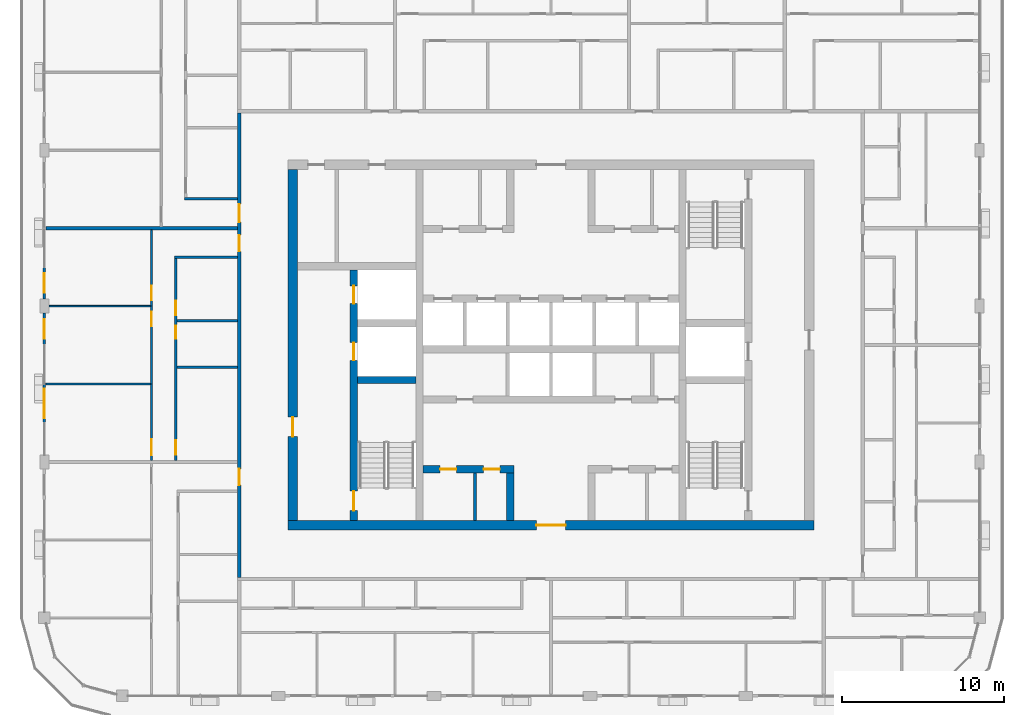
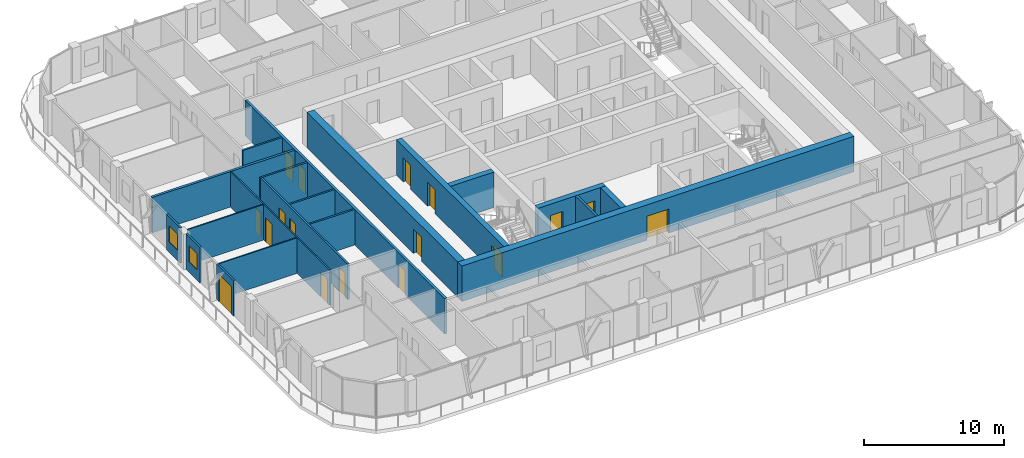
# One storey, part 10 of 22: 20 walls, 17 doors, 2 windows, 19 openings.
"""IFC4 building model written with IfcOpenShell, lengths in metres."""

from ifc_helpers import new_model, si_unit, direction, frame, frame_2d, origin, place, context, subcontext, project, spatial, rectangle, extrude, material, layer, layer_set, type_object, element, fill, save


model = new_model("IFC4")

# Units and contexts
model_context = context("Model", 3, precision=1e-05, world=origin(), true_north=direction((0.0, 1.0)))
body_context = subcontext(model_context, "Body", "Model", "MODEL_VIEW")
ifc_project = project(units=[si_unit("LENGTHUNIT", "METRE"), si_unit("AREAUNIT", "SQUARE_METRE"), si_unit("VOLUMEUNIT", "CUBIC_METRE"), si_unit("PLANEANGLEUNIT", "RADIAN"), si_unit("MASSUNIT", "GRAM", prefix="KILO")], contexts=[model_context])

# Site, building, storey
site_placement = place(None, origin())
site = spatial("IfcSite", under=ifc_project, at=site_placement, CompositionType="ELEMENT")
building_placement = place(site_placement, origin())
building = spatial("IfcBuilding", under=site, at=building_placement, Name="Madar Terraces", CompositionType="ELEMENT")
storey_placement = place(building_placement, frame((0.0, 0.0, 259.699951171875)))
storey = spatial("IfcBuildingStorey", under=building, at=storey_placement, Name="L68", CompositionType="ELEMENT", Elevation=259.699951171875)

# Wall, openings, doors
ifc_material_1 = material(Name="Concrete C55/67", Category="concrete")
ifc_layer_1 = layer(ifc_material_1, 0.449951171875)
ifc_layer_set_1 = layer_set([ifc_layer_1], Name="Concrete C55/67 (CIW5 RC wall 450)")
wall_type_1 = type_object("IfcWallType", Name="CIW5 RC wall 450", PredefinedType="SHEAR", material=ifc_layer_set_1)
wall_1_placement = place(storey_placement, frame((19.050048828125, 15.60009765625, 0.0), z_axis=(0.0, 0.0, 1.0), x_axis=(0.0, 1.0, 0.0)))
wall_1 = element("IfcWall", 1, at=wall_1_placement, inside=storey, type_object=wall_type_1, Name="CORE SHAFT WALL", PredefinedType="SHEAR", context=body_context, shape_type="SweptSolid", body=[
    extrude(rectangle(XDim=15.4248046875, YDim=0.449951171875, at=frame_2d((7.71240234375, 0.0))), origin(), (0.0, 0.0, 1.0), 3.10009765625),
])
opening_1_placement = place(wall_1_placement, frame((9.85009765625, 0.0, 0.0)))
opening_1 = element("IfcOpeningElement", 2, at=opening_1_placement, cuts=wall_1, Name="Opening LD", PredefinedType="OPENING", context=body_context, shape_type="SweptSolid", body=[
    extrude(rectangle(XDim=1.10009765625, YDim=2.10009765625, at=frame_2d((0.550048828125, 1.050048828125))), frame((0.0, 0.23486328125, 0.0), z_axis=(0.0, -1.0, 0.0), x_axis=(1.0, 0.0, 0.0)), (0.0, 0.0, 1.0), 0.469970703125),
])
opening_2_placement = place(wall_1_placement, frame((13.35009765625, 0.0, 0.0)))
opening_2 = element("IfcOpeningElement", 3, at=opening_2_placement, cuts=wall_1, Name="Opening LD", PredefinedType="OPENING", context=body_context, shape_type="SweptSolid", body=[
    extrude(rectangle(XDim=1.10009765625, YDim=2.10009765625, at=frame_2d((0.550048828125, 1.050048828125))), frame((0.0, 0.23486328125, 0.0), z_axis=(0.0, -1.0, 0.0), x_axis=(1.0, 0.0, 0.0)), (0.0, 0.0, 1.0), 0.469970703125),
])
opening_3_placement = place(wall_1_placement, frame((0.60009765625, 0.0, 0.0)))
opening_3 = element("IfcOpeningElement", 4, at=opening_3_placement, cuts=wall_1, Name="Opening SD1", PredefinedType="OPENING", context=body_context, shape_type="SweptSolid", body=[
    extrude(rectangle(XDim=1.199951171875, YDim=2.10009765625, at=frame_2d((0.60009765625, 1.050048828125))), frame((0.0, 0.23486328125, 0.0), z_axis=(0.0, -1.0, 0.0), x_axis=(1.0, 0.0, 0.0)), (0.0, 0.0, 1.0), 0.469970703125),
])
ifc_material_2 = material(Name="Stainless steel panel", Category="steel")
door_type_1 = type_object("IfcDoorType", Name="Lift landing door 1100 x 2100", OperationType="DOUBLE_DOOR_SLIDING", PredefinedType="DOOR", material=ifc_material_2)
door_1_placement = place(opening_1_placement, origin())
door_1 = element("IfcDoor", 5, at=door_1_placement, inside=storey, type_object=door_type_1, Name="LIFT LANDING DOOR", OperationType="DOUBLE_DOOR_SLIDING", OverallHeight=2.10009765625, OverallWidth=1.10009765625, PredefinedType="DOOR", context=body_context, shape_type="SweptSolid", body=[
    extrude(rectangle(XDim=1.10009765625, YDim=2.10009765625, at=frame_2d((0.550048828125, 1.050048828125))), frame((0.0, 0.02490234375, 0.0), z_axis=(0.0, -1.0, 0.0), x_axis=(1.0, 0.0, 0.0)), (0.0, 0.0, 1.0), 0.050048828125),
])
fill(opening_1, door_1)
door_2_placement = place(opening_2_placement, origin())
door_2 = element("IfcDoor", 6, at=door_2_placement, inside=storey, type_object=door_type_1, Name="LIFT LANDING DOOR", OperationType="DOUBLE_DOOR_SLIDING", OverallHeight=2.10009765625, OverallWidth=1.10009765625, PredefinedType="DOOR", context=body_context, shape_type="SweptSolid", body=[
    extrude(rectangle(XDim=1.10009765625, YDim=2.10009765625, at=frame_2d((0.550048828125, 1.050048828125))), frame((0.0, 0.02490234375, 0.0), z_axis=(0.0, -1.0, 0.0), x_axis=(1.0, 0.0, 0.0)), (0.0, 0.0, 1.0), 0.050048828125),
])
fill(opening_2, door_2)
ifc_material_3 = material(Name="Steel door leaf", Category="steel")
door_type_2 = type_object("IfcDoorType", Name="Stair door 1200 x 2100", OperationType="NOTDEFINED", PredefinedType="DOOR", material=ifc_material_3)
door_3_placement = place(opening_3_placement, frame((1.199951171875, 0.0, 0.0), z_axis=(0.0, 0.0, 1.0), x_axis=(-1.0, 0.0, 0.0)))
door_3 = element("IfcDoor", 7, at=door_3_placement, inside=storey, type_object=door_type_2, Name="STAIR DOOR", OperationType="SINGLE_SWING_RIGHT", OverallHeight=2.10009765625, OverallWidth=1.199951171875, PredefinedType="DOOR", context=body_context, shape_type="SweptSolid", body=[
    extrude(rectangle(XDim=1.199951171875, YDim=2.10009765625, at=frame_2d((0.60009765625, 1.050048828125))), frame((0.0, 0.02490234375, 0.0), z_axis=(0.0, -1.0, 0.0), x_axis=(1.0, 0.0, 0.0)), (0.0, 0.0, 1.0), 0.050048828125),
])
fill(opening_3, door_3)

# Wall
wall_2_placement = place(storey_placement, frame((19.27490234375, 24.25, 0.0), z_axis=(0.0, 0.0, 1.0), x_axis=(1.0, 0.0, 0.0)))
element("IfcWall", 8, at=wall_2_placement, inside=storey, type_object=wall_type_1, Name="CORE SHAFT WALL", PredefinedType="SHEAR", context=body_context, shape_type="SweptSolid", body=[
    extrude(rectangle(XDim=3.60009765625, YDim=0.449951171875, at=frame_2d((1.800048828125, 0.0))), origin(), (0.0, 0.0, 1.0), 3.10009765625),
])

# Wall, openings, doors
wall_3_placement = place(storey_placement, frame((23.324951171875, 18.75, 0.0), z_axis=(0.0, 0.0, 1.0), x_axis=(1.0, 0.0, 0.0)))
wall_3 = element("IfcWall", 9, at=wall_3_placement, inside=storey, type_object=wall_type_1, Name="CORE SHAFT WALL", PredefinedType="SHEAR", context=body_context, shape_type="SweptSolid", body=[
    extrude(rectangle(XDim=5.60009765625, YDim=0.449951171875, at=frame_2d((2.800048828125, 0.0))), origin(), (0.0, 0.0, 1.0), 3.10009765625),
])
opening_4_placement = place(wall_3_placement, frame((1.04638671875, 0.0, 0.0)))
opening_4 = element("IfcOpeningElement", 10, at=opening_4_placement, cuts=wall_3, Name="Opening KD2", PredefinedType="OPENING", context=body_context, shape_type="SweptSolid", body=[
    extrude(rectangle(XDim=1.0, YDim=2.10009765625, at=frame_2d((0.5, 1.050048828125))), frame((0.0, 0.23486328125, 0.0), z_axis=(0.0, -1.0, 0.0), x_axis=(1.0, 0.0, 0.0)), (0.0, 0.0, 1.0), 0.469970703125),
])
opening_5_placement = place(wall_3_placement, frame((3.721435546875, 0.0, 0.0)))
opening_5 = element("IfcOpeningElement", 11, at=opening_5_placement, cuts=wall_3, Name="Opening KD2", PredefinedType="OPENING", context=body_context, shape_type="SweptSolid", body=[
    extrude(rectangle(XDim=1.0, YDim=2.10009765625, at=frame_2d((0.5, 1.050048828125))), frame((0.0, 0.23486328125, 0.0), z_axis=(0.0, -1.0, 0.0), x_axis=(1.0, 0.0, 0.0)), (0.0, 0.0, 1.0), 0.469970703125),
])
ifc_material_4 = material(Name="Steel door leaf", Category="steel")
door_type_3 = type_object("IfcDoorType", Name="Service room door 1000 x 2100", OperationType="NOTDEFINED", PredefinedType="DOOR", material=ifc_material_4)
door_4_placement = place(opening_4_placement, origin())
door_4 = element("IfcDoor", 12, at=door_4_placement, inside=storey, type_object=door_type_3, Name="SERVICE ROOM DOOR", OperationType="SINGLE_SWING_RIGHT", OverallHeight=2.10009765625, OverallWidth=1.0, PredefinedType="DOOR", context=body_context, shape_type="SweptSolid", body=[
    extrude(rectangle(XDim=1.0, YDim=2.10009765625, at=frame_2d((0.5, 1.050048828125))), frame((0.0, 0.02490234375, 0.0), z_axis=(0.0, -1.0, 0.0), x_axis=(1.0, 0.0, 0.0)), (0.0, 0.0, 1.0), 0.050048828125),
])
fill(opening_4, door_4)
door_5_placement = place(opening_5_placement, origin())
door_5 = element("IfcDoor", 13, at=door_5_placement, inside=storey, type_object=door_type_3, Name="SERVICE ROOM DOOR", OperationType="SINGLE_SWING_LEFT", OverallHeight=2.10009765625, OverallWidth=1.0, PredefinedType="DOOR", context=body_context, shape_type="SweptSolid", body=[
    extrude(rectangle(XDim=1.0, YDim=2.10009765625, at=frame_2d((0.5, 1.050048828125))), frame((0.0, 0.02490234375, 0.0), z_axis=(0.0, -1.0, 0.0), x_axis=(1.0, 0.0, 0.0)), (0.0, 0.0, 1.0), 0.050048828125),
])
fill(opening_5, door_5)

# Wall
wall_4_placement = place(storey_placement, frame((28.699951171875, 15.60009765625, 0.0), z_axis=(0.0, 0.0, 1.0), x_axis=(0.0, 1.0, 0.0)))
element("IfcWall", 14, at=wall_4_placement, inside=storey, type_object=wall_type_1, Name="CORE SHAFT WALL", PredefinedType="SHEAR", context=body_context, shape_type="SweptSolid", body=[
    extrude(rectangle(XDim=2.9248046875, YDim=0.449951171875, at=frame_2d((1.46240234375, 0.0))), origin(), (0.0, 0.0, 1.0), 3.10009765625),
])

# Wall, opening, door
ifc_material_5 = material(Name="Concrete C55/67", Category="concrete")
ifc_layer_2 = layer(ifc_material_5, 0.60009765625)
ifc_layer_set_2 = layer_set([ifc_layer_2], Name="Concrete C55/67 (CRW5 RC wall 600)")
wall_type_2 = type_object("IfcWallType", Name="CRW5 RC wall 600", PredefinedType="SHEAR", material=ifc_layer_set_2)
wall_5_placement = place(storey_placement, frame((15.0, 15.300048828125, 0.0), z_axis=(0.0, 0.0, 1.0), x_axis=(1.0, 0.0, 0.0)))
wall_5 = element("IfcWall", 15, at=wall_5_placement, inside=storey, type_object=wall_type_2, Name="CORE OUTER WALL", PredefinedType="SHEAR", context=body_context, shape_type="SweptSolid", body=[
    extrude(rectangle(XDim=32.39990234375, YDim=0.60009765625, at=frame_2d((16.199951171875, 0.0))), origin(), (0.0, 0.0, 1.0), 3.10009765625),
])
opening_6_placement = place(wall_5_placement, frame((15.300048828125, 0.0, 0.0)))
opening_6 = element("IfcOpeningElement", 16, at=opening_6_placement, cuts=wall_5, Name="Opening KD1", PredefinedType="OPENING", context=body_context, shape_type="SweptSolid", body=[
    extrude(rectangle(XDim=1.800048828125, YDim=2.10009765625, at=frame_2d((0.89990234375, 1.050048828125))), frame((0.0, 0.31005859375, 0.0), z_axis=(0.0, -1.0, 0.0), x_axis=(1.0, 0.0, 0.0)), (0.0, 0.0, 1.0), 0.6201171875),
])
ifc_material_6 = material(Name="Steel door leaf", Category="steel")
door_type_4 = type_object("IfcDoorType", Name="Lobby door pair 1800 x 2100", OperationType="DOUBLE_DOOR_SINGLE_SWING", PredefinedType="DOOR", material=ifc_material_6)
door_6_placement = place(opening_6_placement, frame((1.800048828125, 0.0, 0.0), z_axis=(0.0, 0.0, 1.0), x_axis=(-1.0, 0.0, 0.0)))
door_6 = element("IfcDoor", 17, at=door_6_placement, inside=storey, type_object=door_type_4, Name="LIFT LOBBY DOOR", OperationType="DOUBLE_DOOR_SINGLE_SWING", OverallHeight=2.10009765625, OverallWidth=1.800048828125, PredefinedType="DOOR", context=body_context, shape_type="SweptSolid", body=[
    extrude(rectangle(XDim=1.800048828125, YDim=2.10009765625, at=frame_2d((0.89990234375, 1.050048828125))), frame((0.0, 0.02490234375, 0.0), z_axis=(0.0, -1.0, 0.0), x_axis=(1.0, 0.0, 0.0)), (0.0, 0.0, 1.0), 0.050048828125),
])
fill(opening_6, door_6)

wall_6_placement = place(storey_placement, frame((15.300048828125, 15.60009765625, 0.0), z_axis=(0.0, 0.0, 1.0), x_axis=(0.0, 1.0, 0.0)))
wall_6 = element("IfcWall", 18, at=wall_6_placement, inside=storey, type_object=wall_type_2, Name="CORE OUTER WALL", PredefinedType="SHEAR", context=body_context, shape_type="SweptSolid", body=[
    extrude(rectangle(XDim=21.599853515625, YDim=0.60009765625, at=frame_2d((10.7998046875, 0.0))), origin(), (0.0, 0.0, 1.0), 3.10009765625),
])
opening_7_placement = place(wall_6_placement, frame((5.159912109375, 0.0, 0.0)))
opening_7 = element("IfcOpeningElement", 19, at=opening_7_placement, cuts=wall_6, Name="Opening SD1", PredefinedType="OPENING", context=body_context, shape_type="SweptSolid", body=[
    extrude(rectangle(XDim=1.199951171875, YDim=2.10009765625, at=frame_2d((0.60009765625, 1.050048828125))), frame((0.0, 0.31005859375, 0.0), z_axis=(0.0, -1.0, 0.0), x_axis=(1.0, 0.0, 0.0)), (0.0, 0.0, 1.0), 0.6201171875),
])
door_7_placement = place(opening_7_placement, frame((1.199951171875, 0.0, 0.0), z_axis=(0.0, 0.0, 1.0), x_axis=(-1.0, 0.0, 0.0)))
door_7 = element("IfcDoor", 20, at=door_7_placement, inside=storey, type_object=door_type_2, Name="STAIR DOOR", OperationType="SINGLE_SWING_LEFT", OverallHeight=2.10009765625, OverallWidth=1.199951171875, PredefinedType="DOOR", context=body_context, shape_type="SweptSolid", body=[
    extrude(rectangle(XDim=1.199951171875, YDim=2.10009765625, at=frame_2d((0.60009765625, 1.050048828125))), frame((0.0, 0.02490234375, 0.0), z_axis=(0.0, -1.0, 0.0), x_axis=(1.0, 0.0, 0.0)), (0.0, 0.0, 1.0), 0.050048828125),
])
fill(opening_7, door_7)

# Wall
ifc_material_7 = material(Name="Masonry blockwork", Category="masonry")
ifc_layer_3 = layer(ifc_material_7, 0.199951171875)
ifc_layer_set_3 = layer_set([ifc_layer_3], Name="Core partition 200 blockwork")
wall_type_3 = type_object("IfcWallType", Name="Core partition 200 blockwork", PredefinedType="PARTITIONING", material=ifc_layer_set_3)
wall_7_placement = place(storey_placement, frame((26.51806640625, 15.60009765625, 0.0), z_axis=(0.0, 0.0, 1.0), x_axis=(0.0, 1.0, 0.0)))
element("IfcWall", 21, at=wall_7_placement, inside=storey, type_object=wall_type_3, Name="SERVICE ROOM PARTITION", PredefinedType="PARTITIONING", context=body_context, shape_type="SweptSolid", body=[
    extrude(rectangle(XDim=2.9248046875, YDim=0.199951171875, at=frame_2d((1.46240234375, 0.0))), origin(), (0.0, 0.0, 1.0), 3.10009765625),
])

# Wall, opening, window
ifc_material_8 = material(Name="Aluminium composite panel, black, over insulated backing", Category="aluminium")
ifc_layer_4 = layer(ifc_material_8, 0.14990234375)
ifc_layer_set_4 = layer_set([ifc_layer_4], Name="Facade bay panel 150")
wall_type_4 = type_object("IfcWallType", Name="Facade bay panel 150", PredefinedType="SOLIDWALL", material=ifc_layer_set_4)
wall_8_placement = place(storey_placement, frame((0.0, 31.199951171875, 0.0), z_axis=(0.0, 0.0, 1.0), x_axis=(0.0, -1.0, 0.0)))
wall_8 = element("IfcWall", 22, at=wall_8_placement, inside=storey, type_object=wall_type_4, Name="Facade bay panel", PredefinedType="SOLIDWALL", context=body_context, shape_type="SweptSolid", body=[
    extrude(rectangle(XDim=1.974853515625, YDim=0.14990234375, at=frame_2d((0.9873046875, 0.0))), origin(), (0.0, 0.0, 1.0), 3.10009765625),
])
opening_8_placement = place(wall_8_placement, frame((0.387451171875, 0.0, 0.89990234375)))
opening_8 = element("IfcOpeningElement", 23, at=opening_8_placement, cuts=wall_8, Name="Opening W1", PredefinedType="OPENING", context=body_context, shape_type="SweptSolid", body=[
    extrude(rectangle(XDim=1.199951171875, YDim=1.39990234375, at=frame_2d((0.60009765625, 0.699951171875))), frame((0.0, 0.0849609375, 0.0), z_axis=(0.0, -1.0, 0.0), x_axis=(1.0, 0.0, 0.0)), (0.0, 0.0, 1.0), 0.169921875),
])
ifc_material_9 = material(Name="Glass, clear, with black aluminium frame", Category="aluminium")
window_type = type_object("IfcWindowType", Name="Vent window 1200 x 1400", PartitioningType="SINGLE_PANEL", PredefinedType="WINDOW", material=ifc_material_9)
window_1_placement = place(opening_8_placement, origin())
window_1 = element("IfcWindow", 24, at=window_1_placement, inside=storey, type_object=window_type, Name="Operable vent window", OverallHeight=1.39990234375, OverallWidth=1.199951171875, PartitioningType="SINGLE_PANEL", PredefinedType="WINDOW", context=body_context, shape_type="SweptSolid", body=[
    extrude(rectangle(XDim=1.199951171875, YDim=1.39990234375, at=frame_2d((0.60009765625, 0.699951171875))), frame((0.0, 0.030029296875, 0.0), z_axis=(0.0, -1.0, 0.0), x_axis=(1.0, 0.0, 0.0)), (0.0, 0.0, 1.0), 0.06005859375),
])
fill(opening_8, window_1)

wall_9_placement = place(storey_placement, frame((0.0, 28.375, 0.0), z_axis=(0.0, 0.0, 1.0), x_axis=(0.0, -1.0, 0.0)))
wall_9 = element("IfcWall", 25, at=wall_9_placement, inside=storey, type_object=wall_type_4, Name="Facade bay panel", PredefinedType="SOLIDWALL", context=body_context, shape_type="SweptSolid", body=[
    extrude(rectangle(XDim=1.97509765625, YDim=0.14990234375, at=frame_2d((0.987548828125, 0.0))), origin(), (0.0, 0.0, 1.0), 3.10009765625),
])
opening_9_placement = place(wall_9_placement, frame((0.387451171875, 0.0, 0.89990234375)))
opening_9 = element("IfcOpeningElement", 26, at=opening_9_placement, cuts=wall_9, Name="Opening W1", PredefinedType="OPENING", context=body_context, shape_type="SweptSolid", body=[
    extrude(rectangle(XDim=1.199951171875, YDim=1.39990234375, at=frame_2d((0.60009765625, 0.699951171875))), frame((0.0, 0.0849609375, 0.0), z_axis=(0.0, -1.0, 0.0), x_axis=(1.0, 0.0, 0.0)), (0.0, 0.0, 1.0), 0.169921875),
])
window_2_placement = place(opening_9_placement, origin())
window_2 = element("IfcWindow", 27, at=window_2_placement, inside=storey, type_object=window_type, Name="Operable vent window", OverallHeight=1.39990234375, OverallWidth=1.199951171875, PartitioningType="SINGLE_PANEL", PredefinedType="WINDOW", context=body_context, shape_type="SweptSolid", body=[
    extrude(rectangle(XDim=1.199951171875, YDim=1.39990234375, at=frame_2d((0.60009765625, 0.699951171875))), frame((0.0, 0.030029296875, 0.0), z_axis=(0.0, -1.0, 0.0), x_axis=(1.0, 0.0, 0.0)), (0.0, 0.0, 1.0), 0.06005859375),
])
fill(opening_9, window_2)

# Wall, opening, door
wall_10_placement = place(storey_placement, frame((0.0, 24.0, 0.0), z_axis=(0.0, 0.0, 1.0), x_axis=(0.0, -1.0, 0.0)))
wall_10 = element("IfcWall", 28, at=wall_10_placement, inside=storey, type_object=wall_type_4, Name="Facade bay panel", PredefinedType="SOLIDWALL", context=body_context, shape_type="SweptSolid", body=[
    extrude(rectangle(XDim=2.39990234375, YDim=0.14990234375, at=frame_2d((1.199951171875, 0.0))), origin(), (0.0, 0.0, 1.0), 3.10009765625),
])
opening_10_placement = place(wall_10_placement, frame((0.300048828125, 0.0, 0.0)))
opening_10 = element("IfcOpeningElement", 29, at=opening_10_placement, cuts=wall_10, Name="Opening ED1", PredefinedType="OPENING", context=body_context, shape_type="SweptSolid", body=[
    extrude(rectangle(XDim=1.800048828125, YDim=2.39990234375, at=frame_2d((0.89990234375, 1.199951171875))), frame((0.0, 0.0849609375, 0.0), z_axis=(0.0, -1.0, 0.0), x_axis=(1.0, 0.0, 0.0)), (0.0, 0.0, 1.0), 0.169921875),
])
ifc_material_10 = material(Name="Glass, clear, with black aluminium frame", Category="aluminium")
door_type_5 = type_object("IfcDoorType", Name="Balcony and terrace sliding door 1800 x 2400", OperationType="SLIDING_TO_LEFT", PredefinedType="DOOR", material=ifc_material_10)
door_8_placement = place(opening_10_placement, origin())
door_8 = element("IfcDoor", 30, at=door_8_placement, inside=storey, type_object=door_type_5, Name="Balcony door", OperationType="SLIDING_TO_LEFT", OverallHeight=2.39990234375, OverallWidth=1.800048828125, PredefinedType="DOOR", context=body_context, shape_type="SweptSolid", body=[
    extrude(rectangle(XDim=1.800048828125, YDim=2.39990234375, at=frame_2d((0.89990234375, 1.199951171875))), frame((0.0, 0.02490234375, 0.0), z_axis=(0.0, -1.0, 0.0), x_axis=(1.0, 0.0, 0.0)), (0.0, 0.0, 1.0), 0.050048828125),
])
fill(opening_10, door_8)

# Walls
ifc_material_11 = material(Name="Gypsum board on steel studs", Category="steel")
ifc_layer_5 = layer(ifc_material_11, 0.10009765625)
ifc_layer_set_5 = layer_set([ifc_layer_5], Name="Flat partition 100")
wall_type_5 = type_object("IfcWallType", Name="Flat partition 100", PredefinedType="PARTITIONING", material=ifc_layer_set_5)
wall_11_placement = place(storey_placement, frame((6.550048828125, 28.800048828125, 0.0), z_axis=(0.0, 0.0, 1.0), x_axis=(-1.0, 0.0, 0.0)))
element("IfcWall", 31, at=wall_11_placement, inside=storey, type_object=wall_type_5, Name="Flat partition 100", PredefinedType="PARTITIONING", context=body_context, shape_type="SweptSolid", body=[
    extrude(rectangle(XDim=6.275146484375, YDim=0.10009765625, at=frame_2d((3.1376953125, 0.0))), origin(), (0.0, 0.0, 1.0), 3.10009765625),
])
wall_12_placement = place(storey_placement, frame((6.550048828125, 24.0, 0.0), z_axis=(0.0, 0.0, 1.0), x_axis=(-1.0, 0.0, 0.0)))
element("IfcWall", 32, at=wall_12_placement, inside=storey, type_object=wall_type_5, Name="Flat partition 100", PredefinedType="PARTITIONING", context=body_context, shape_type="SweptSolid", body=[
    extrude(rectangle(XDim=6.449951171875, YDim=0.10009765625, at=frame_2d((3.22509765625, 0.0))), origin(), (0.0, 0.0, 1.0), 3.10009765625),
])

# Wall, openings, doors
wall_13_placement = place(storey_placement, frame((6.60009765625, 19.300048828125, 0.0), z_axis=(0.0, 0.0, 1.0), x_axis=(0.0, 1.0, 0.0)))
wall_13 = element("IfcWall", 33, at=wall_13_placement, inside=storey, type_object=wall_type_5, Name="Flat partition 100", PredefinedType="PARTITIONING", context=body_context, shape_type="SweptSolid", body=[
    extrude(rectangle(XDim=14.199951171875, YDim=0.10009765625, at=frame_2d((7.10009765625, 0.0))), origin(), (0.0, 0.0, 1.0), 3.10009765625),
])
opening_11_placement = place(wall_13_placement, frame((9.85009765625, 0.0, 0.0)))
opening_11 = element("IfcOpeningElement", 34, at=opening_11_placement, cuts=wall_13, Name="Opening D2", PredefinedType="OPENING", context=body_context, shape_type="SweptSolid", body=[
    extrude(rectangle(XDim=0.89990234375, YDim=2.10009765625, at=frame_2d((0.449951171875, 1.050048828125))), frame((0.0, 0.06005859375, 0.0), z_axis=(0.0, -1.0, 0.0), x_axis=(1.0, 0.0, 0.0)), (0.0, 0.0, 1.0), 0.1201171875),
])
opening_12_placement = place(wall_13_placement, frame((8.25, 0.0, 0.0)))
opening_12 = element("IfcOpeningElement", 35, at=opening_12_placement, cuts=wall_13, Name="Opening D2", PredefinedType="OPENING", context=body_context, shape_type="SweptSolid", body=[
    extrude(rectangle(XDim=0.89990234375, YDim=2.10009765625, at=frame_2d((0.449951171875, 1.050048828125))), frame((0.0, 0.06005859375, 0.0), z_axis=(0.0, -1.0, 0.0), x_axis=(1.0, 0.0, 0.0)), (0.0, 0.0, 1.0), 0.1201171875),
])
opening_13_placement = place(wall_13_placement, frame((0.300048828125, 0.0, 0.0)))
opening_13 = element("IfcOpeningElement", 36, at=opening_13_placement, cuts=wall_13, Name="Opening D3", PredefinedType="OPENING", context=body_context, shape_type="SweptSolid", body=[
    extrude(rectangle(XDim=1.0, YDim=2.10009765625, at=frame_2d((0.5, 1.050048828125))), frame((0.0, 0.06005859375, 0.0), z_axis=(0.0, -1.0, 0.0), x_axis=(1.0, 0.0, 0.0)), (0.0, 0.0, 1.0), 0.1201171875),
])
ifc_material_12 = material(Name="Timber door leaf", Category="wood")
door_type_6 = type_object("IfcDoorType", Name="Flat living room door 1000", OperationType="NOTDEFINED", PredefinedType="DOOR", material=ifc_material_12)
door_9_placement = place(opening_13_placement, origin())
door_9 = element("IfcDoor", 37, at=door_9_placement, inside=storey, type_object=door_type_6, Name="Flat living room door 1000", OperationType="SINGLE_SWING_LEFT", OverallHeight=2.10009765625, OverallWidth=1.0, PredefinedType="DOOR", context=body_context, shape_type="SweptSolid", body=[
    extrude(rectangle(XDim=1.0, YDim=2.10009765625, at=frame_2d((0.5, 1.050048828125))), frame((0.0, 0.02490234375, 0.0), z_axis=(0.0, -1.0, 0.0), x_axis=(1.0, 0.0, 0.0)), (0.0, 0.0, 1.0), 0.050048828125),
])
fill(opening_13, door_9)
ifc_material_13 = material(Name="Timber door leaf", Category="wood")
door_type_7 = type_object("IfcDoorType", Name="Flat room door 900", OperationType="NOTDEFINED", PredefinedType="DOOR", material=ifc_material_13)
door_10_placement = place(opening_11_placement, origin())
door_10 = element("IfcDoor", 38, at=door_10_placement, inside=storey, type_object=door_type_7, Name="Flat room door 900", OperationType="SINGLE_SWING_LEFT", OverallHeight=2.10009765625, OverallWidth=0.89990234375, PredefinedType="DOOR", context=body_context, shape_type="SweptSolid", body=[
    extrude(rectangle(XDim=0.89990234375, YDim=2.10009765625, at=frame_2d((0.449951171875, 1.050048828125))), frame((0.0, 0.02490234375, 0.0), z_axis=(0.0, -1.0, 0.0), x_axis=(1.0, 0.0, 0.0)), (0.0, 0.0, 1.0), 0.050048828125),
])
fill(opening_11, door_10)
door_11_placement = place(opening_12_placement, origin())
door_11 = element("IfcDoor", 39, at=door_11_placement, inside=storey, type_object=door_type_7, Name="Flat room door 900", OperationType="SINGLE_SWING_RIGHT", OverallHeight=2.10009765625, OverallWidth=0.89990234375, PredefinedType="DOOR", context=body_context, shape_type="SweptSolid", body=[
    extrude(rectangle(XDim=0.89990234375, YDim=2.10009765625, at=frame_2d((0.449951171875, 1.050048828125))), frame((0.0, 0.02490234375, 0.0), z_axis=(0.0, -1.0, 0.0), x_axis=(1.0, 0.0, 0.0)), (0.0, 0.0, 1.0), 0.050048828125),
])
fill(opening_12, door_11)

ifc_material_14 = material(Name="Lightweight blockwork", Category="masonry")
ifc_layer_6 = layer(ifc_material_14, 0.199951171875)
ifc_layer_set_6 = layer_set([ifc_layer_6], Name="Flat party and entrance wall 200")
wall_type_6 = type_object("IfcWallType", Name="Flat party and entrance wall 200", PredefinedType="PARTITIONING", material=ifc_layer_set_6)
wall_14_placement = place(storey_placement, frame((12.0, 12.10009765625, 0.0), z_axis=(0.0, 0.0, 1.0), x_axis=(0.0, 1.0, 0.0)))
wall_14 = element("IfcWall", 40, at=wall_14_placement, inside=storey, type_object=wall_type_6, Name="Flat party and entrance wall 200", PredefinedType="PARTITIONING", context=body_context, shape_type="SweptSolid", body=[
    extrude(rectangle(XDim=28.599853515625, YDim=0.199951171875, at=frame_2d((14.2998046875, 0.0))), origin(), (0.0, 0.0, 1.0), 3.10009765625),
])
opening_14_placement = place(wall_14_placement, frame((21.875, 0.0, 0.0)))
opening_14 = element("IfcOpeningElement", 41, at=opening_14_placement, cuts=wall_14, Name="Opening D6", PredefinedType="OPENING", context=body_context, shape_type="SweptSolid", body=[
    extrude(rectangle(XDim=1.10009765625, YDim=2.10009765625, at=frame_2d((0.550048828125, 1.050048828125))), frame((0.0, 0.10986328125, 0.0), z_axis=(0.0, -1.0, 0.0), x_axis=(1.0, 0.0, 0.0)), (0.0, 0.0, 1.0), 0.219970703125),
])
opening_15_placement = place(wall_14_placement, frame((20.074951171875, 0.0, 0.0)))
opening_15 = element("IfcOpeningElement", 42, at=opening_15_placement, cuts=wall_14, Name="Opening D1", PredefinedType="OPENING", context=body_context, shape_type="SweptSolid", body=[
    extrude(rectangle(XDim=1.0, YDim=2.10009765625, at=frame_2d((0.5, 1.050048828125))), frame((0.0, 0.10986328125, 0.0), z_axis=(0.0, -1.0, 0.0), x_axis=(1.0, 0.0, 0.0)), (0.0, 0.0, 1.0), 0.219970703125),
])
opening_16_placement = place(wall_14_placement, frame((5.675048828125, 0.0, 0.0)))
opening_16 = element("IfcOpeningElement", 43, at=opening_16_placement, cuts=wall_14, Name="Opening D1", PredefinedType="OPENING", context=body_context, shape_type="SweptSolid", body=[
    extrude(rectangle(XDim=1.0, YDim=2.10009765625, at=frame_2d((0.5, 1.050048828125))), frame((0.0, 0.10986328125, 0.0), z_axis=(0.0, -1.0, 0.0), x_axis=(1.0, 0.0, 0.0)), (0.0, 0.0, 1.0), 0.219970703125),
])
ifc_material_15 = material(Name="Timber fire door leaf", Category="wood")
door_type_8 = type_object("IfcDoorType", Name="Flat entrance door 1000 FD30S", OperationType="NOTDEFINED", PredefinedType="DOOR", material=ifc_material_15)
door_12_placement = place(opening_15_placement, origin())
door_12 = element("IfcDoor", 44, at=door_12_placement, inside=storey, type_object=door_type_8, Name="Flat entrance door 1000 FD30S", OperationType="SINGLE_SWING_RIGHT", OverallHeight=2.10009765625, OverallWidth=1.0, PredefinedType="DOOR", context=body_context, shape_type="SweptSolid", body=[
    extrude(rectangle(XDim=1.0, YDim=2.10009765625, at=frame_2d((0.5, 1.050048828125))), frame((0.0, 0.02490234375, 0.0), z_axis=(0.0, -1.0, 0.0), x_axis=(1.0, 0.0, 0.0)), (0.0, 0.0, 1.0), 0.050048828125),
])
fill(opening_15, door_12)
door_13_placement = place(opening_16_placement, origin())
door_13 = element("IfcDoor", 45, at=door_13_placement, inside=storey, type_object=door_type_8, Name="Flat entrance door 1000 FD30S", OperationType="SINGLE_SWING_RIGHT", OverallHeight=2.10009765625, OverallWidth=1.0, PredefinedType="DOOR", context=body_context, shape_type="SweptSolid", body=[
    extrude(rectangle(XDim=1.0, YDim=2.10009765625, at=frame_2d((0.5, 1.050048828125))), frame((0.0, 0.02490234375, 0.0), z_axis=(0.0, -1.0, 0.0), x_axis=(1.0, 0.0, 0.0)), (0.0, 0.0, 1.0), 0.050048828125),
])
fill(opening_16, door_13)
ifc_material_16 = material(Name="Timber fire door leaf", Category="wood")
door_type_9 = type_object("IfcDoorType", Name="Flat entrance door 1100 FD30S", OperationType="NOTDEFINED", PredefinedType="DOOR", material=ifc_material_16)
door_14_placement = place(opening_14_placement, origin())
door_14 = element("IfcDoor", 46, at=door_14_placement, inside=storey, type_object=door_type_9, Name="Flat entrance door 1100 FD30S", OperationType="SINGLE_SWING_LEFT", OverallHeight=2.10009765625, OverallWidth=1.10009765625, PredefinedType="DOOR", context=body_context, shape_type="SweptSolid", body=[
    extrude(rectangle(XDim=1.10009765625, YDim=2.10009765625, at=frame_2d((0.550048828125, 1.050048828125))), frame((0.0, 0.02490234375, 0.0), z_axis=(0.0, -1.0, 0.0), x_axis=(1.0, 0.0, 0.0)), (0.0, 0.0, 1.0), 0.050048828125),
])
fill(opening_14, door_14)

# Walls
wall_15_placement = place(storey_placement, frame((0.10009765625, 33.60009765625, 0.0), z_axis=(0.0, 0.0, 1.0), x_axis=(1.0, 0.0, 0.0)))
element("IfcWall", 47, at=wall_15_placement, inside=storey, type_object=wall_type_6, Name="Flat party and entrance wall 200", PredefinedType="PARTITIONING", context=body_context, shape_type="SweptSolid", body=[
    extrude(rectangle(XDim=11.7998046875, YDim=0.199951171875, at=frame_2d((5.89990234375, 0.0))), origin(), (0.0, 0.0, 1.0), 3.10009765625),
])
ifc_material_17 = material(Name="Lightweight blockwork", Category="masonry")
ifc_layer_7 = layer(ifc_material_17, 0.14990234375)
ifc_layer_set_7 = layer_set([ifc_layer_7], Name="Flat wet-room partition 150")
wall_type_7 = type_object("IfcWallType", Name="Flat wet-room partition 150", PredefinedType="PARTITIONING", material=ifc_layer_set_7)
wall_16_placement = place(storey_placement, frame((11.89990234375, 35.39990234375, 0.0), z_axis=(0.0, 0.0, 1.0), x_axis=(-1.0, 0.0, 0.0)))
element("IfcWall", 48, at=wall_16_placement, inside=storey, type_object=wall_type_7, Name="Flat wet-room partition 150", PredefinedType="PARTITIONING", context=body_context, shape_type="SweptSolid", body=[
    extrude(rectangle(XDim=3.27490234375, YDim=0.14990234375, at=frame_2d((1.637451171875, 0.0))), origin(), (0.0, 0.0, 1.0), 3.10009765625),
])
for number, where, z_axis, x_axis, name in (
    (49, (11.89990234375, 27.90185546875, 0.0), (0.0, 0.0, 1.0), (-1.0, 0.0, 0.0), "Flat wet-room partition 150"),
    (50, (11.89990234375, 25.03466796875, 0.0), (0.0, 0.0, 1.0), (-1.0, 0.0, 0.0), "Flat wet-room partition 150"),
):
    element("IfcWall", number, at=place(storey_placement, frame(where, z_axis=z_axis, x_axis=x_axis)), inside=storey, type_object=wall_type_7, Name=name, PredefinedType="PARTITIONING", context=body_context, shape_type="SweptSolid", body=[
        extrude(rectangle(XDim=3.724853515625, YDim=0.14990234375, at=frame_2d((1.8623046875, 0.0))), origin(), (0.0, 0.0, 1.0), 3.10009765625),
    ])
wall_17_placement = place(storey_placement, frame((11.89990234375, 31.800048828125, 0.0), z_axis=(0.0, 0.0, 1.0), x_axis=(-1.0, 0.0, 0.0)))
element("IfcWall", 51, at=wall_17_placement, inside=storey, type_object=wall_type_7, Name="Flat wet-room partition 150", PredefinedType="PARTITIONING", context=body_context, shape_type="SweptSolid", body=[
    extrude(rectangle(XDim=3.875, YDim=0.14990234375, at=frame_2d((1.9375, 0.0))), origin(), (0.0, 0.0, 1.0), 3.10009765625),
])

# Wall, openings, doors
wall_18_placement = place(storey_placement, frame((8.10009765625, 31.72509765625, 0.0), z_axis=(0.0, 0.0, 1.0), x_axis=(0.0, -1.0, 0.0)))
wall_18 = element("IfcWall", 52, at=wall_18_placement, inside=storey, type_object=wall_type_7, Name="Flat wet-room partition 150", PredefinedType="PARTITIONING", context=body_context, shape_type="SweptSolid", body=[
    extrude(rectangle(XDim=12.425048828125, YDim=0.14990234375, at=frame_2d((6.21240234375, 0.0))), origin(), (0.0, 0.0, 1.0), 3.10009765625),
])
opening_17_placement = place(wall_18_placement, frame((2.59814453125, 0.0, 0.0)))
opening_17 = element("IfcOpeningElement", 53, at=opening_17_placement, cuts=wall_18, Name="Opening D5", PredefinedType="OPENING", context=body_context, shape_type="SweptSolid", body=[
    extrude(rectangle(XDim=0.89990234375, YDim=2.10009765625, at=frame_2d((0.449951171875, 1.050048828125))), frame((0.0, 0.0849609375, 0.0), z_axis=(0.0, -1.0, 0.0), x_axis=(1.0, 0.0, 0.0)), (0.0, 0.0, 1.0), 0.169921875),
])
opening_18_placement = place(wall_18_placement, frame((4.148193359375, 0.0, 0.0)))
opening_18 = element("IfcOpeningElement", 54, at=opening_18_placement, cuts=wall_18, Name="Opening D4", PredefinedType="OPENING", context=body_context, shape_type="SweptSolid", body=[
    extrude(rectangle(XDim=0.800048828125, YDim=2.10009765625, at=frame_2d((0.39990234375, 1.050048828125))), frame((0.0, 0.0849609375, 0.0), z_axis=(0.0, -1.0, 0.0), x_axis=(1.0, 0.0, 0.0)), (0.0, 0.0, 1.0), 0.169921875),
])
opening_19_placement = place(wall_18_placement, frame((11.175048828125, 0.0, 0.0)))
opening_19 = element("IfcOpeningElement", 55, at=opening_19_placement, cuts=wall_18, Name="Opening D2", PredefinedType="OPENING", context=body_context, shape_type="SweptSolid", body=[
    extrude(rectangle(XDim=0.89990234375, YDim=2.10009765625, at=frame_2d((0.449951171875, 1.050048828125))), frame((0.0, 0.0849609375, 0.0), z_axis=(0.0, -1.0, 0.0), x_axis=(1.0, 0.0, 0.0)), (0.0, 0.0, 1.0), 0.169921875),
])
ifc_material_18 = material(Name="Timber door leaf", Category="wood")
door_type_10 = type_object("IfcDoorType", Name="Flat accessible bathroom door 900", OperationType="NOTDEFINED", PredefinedType="DOOR", material=ifc_material_18)
door_15_placement = place(opening_17_placement, origin())
door_15 = element("IfcDoor", 56, at=door_15_placement, inside=storey, type_object=door_type_10, Name="Flat accessible bathroom door 900", OperationType="SINGLE_SWING_RIGHT", OverallHeight=2.10009765625, OverallWidth=0.89990234375, PredefinedType="DOOR", context=body_context, shape_type="SweptSolid", body=[
    extrude(rectangle(XDim=0.89990234375, YDim=2.10009765625, at=frame_2d((0.449951171875, 1.050048828125))), frame((0.0, 0.02490234375, 0.0), z_axis=(0.0, -1.0, 0.0), x_axis=(1.0, 0.0, 0.0)), (0.0, 0.0, 1.0), 0.050048828125),
])
fill(opening_17, door_15)
ifc_material_19 = material(Name="Timber door leaf", Category="wood")
door_type_11 = type_object("IfcDoorType", Name="Flat bathroom door 800", OperationType="NOTDEFINED", PredefinedType="DOOR", material=ifc_material_19)
door_16_placement = place(opening_18_placement, origin())
door_16 = element("IfcDoor", 57, at=door_16_placement, inside=storey, type_object=door_type_11, Name="Flat bathroom door 800", OperationType="SINGLE_SWING_LEFT", OverallHeight=2.10009765625, OverallWidth=0.800048828125, PredefinedType="DOOR", context=body_context, shape_type="SweptSolid", body=[
    extrude(rectangle(XDim=0.800048828125, YDim=2.10009765625, at=frame_2d((0.39990234375, 1.050048828125))), frame((0.0, 0.02490234375, 0.0), z_axis=(0.0, -1.0, 0.0), x_axis=(1.0, 0.0, 0.0)), (0.0, 0.0, 1.0), 0.050048828125),
])
fill(opening_18, door_16)
door_17_placement = place(opening_19_placement, origin())
door_17 = element("IfcDoor", 58, at=door_17_placement, inside=storey, type_object=door_type_7, Name="Flat room door 900", OperationType="SINGLE_SWING_RIGHT", OverallHeight=2.10009765625, OverallWidth=0.89990234375, PredefinedType="DOOR", context=body_context, shape_type="SweptSolid", body=[
    extrude(rectangle(XDim=0.89990234375, YDim=2.10009765625, at=frame_2d((0.449951171875, 1.050048828125))), frame((0.0, 0.02490234375, 0.0), z_axis=(0.0, -1.0, 0.0), x_axis=(1.0, 0.0, 0.0)), (0.0, 0.0, 1.0), 0.050048828125),
])
fill(opening_19, door_17)

save(model, "model.ifc")
